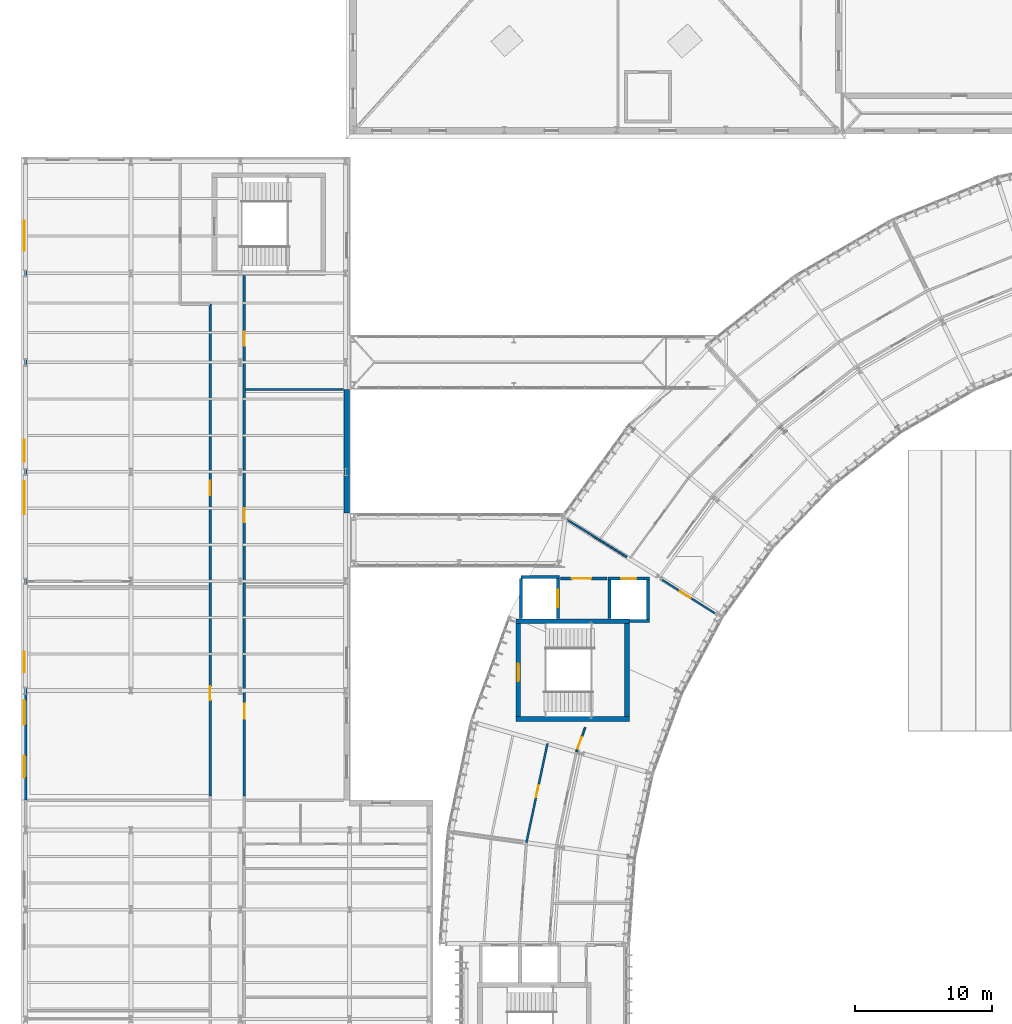
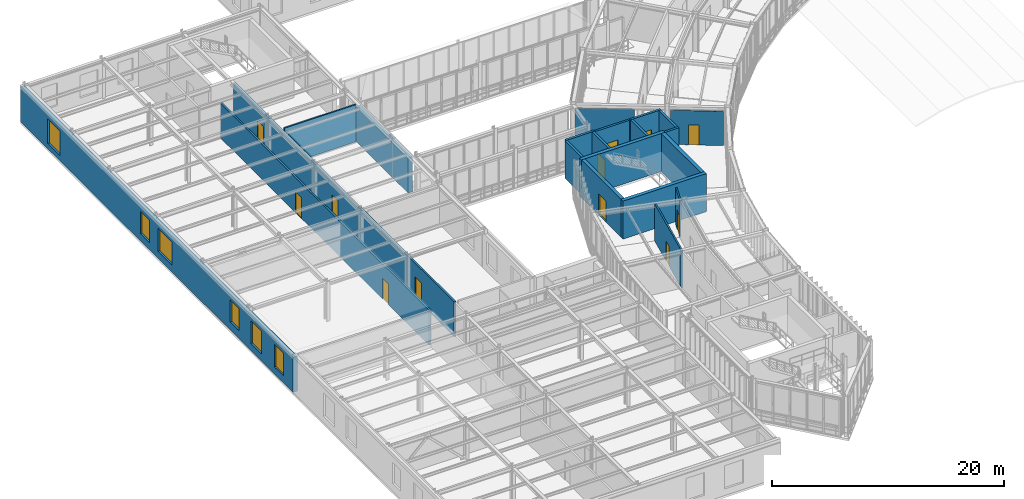
# One storey, part 42 of 57: 21 walls, 12 doors, 6 windows, 18 openings.
"""IFC4 building model written with IfcOpenShell, lengths in metres."""

from ifc_helpers import new_model, si_unit, direction, frame, frame_2d, origin, place, context, subcontext, project, spatial, rectangle, extrude, material, layer, layer_set, type_object, element, fill, save


model = new_model("IFC4")

# Units and contexts
model_context = context("Model", 3, precision=1e-05, world=origin(), true_north=direction((0.0, 1.0)))
body_context = subcontext(model_context, "Body", "Model", "MODEL_VIEW")
ifc_project = project(units=[si_unit("LENGTHUNIT", "METRE"), si_unit("AREAUNIT", "SQUARE_METRE"), si_unit("VOLUMEUNIT", "CUBIC_METRE"), si_unit("PLANEANGLEUNIT", "RADIAN"), si_unit("MASSUNIT", "GRAM", prefix="KILO"), si_unit("THERMODYNAMICTEMPERATUREUNIT", "KELVIN"), si_unit("POWERUNIT", "WATT")], contexts=[model_context])

# Site, building, storey
site_placement = place(None, origin())
site = spatial("IfcSite", under=ifc_project, at=site_placement, CompositionType="ELEMENT")
building_placement = place(site_placement, origin())
building = spatial("IfcBuilding", under=site, at=building_placement, Name="Solvatero Civic Police Headquarters", CompositionType="ELEMENT")
storey_placement = place(building_placement, frame((0.0, 0.0, 9.300048828125)))
storey = spatial("IfcBuildingStorey", under=building, at=storey_placement, Name="L02", CompositionType="ELEMENT", Elevation=9.300048828125)

# Wall, openings, windows
ifc_material_1 = material(Name="Cream Limestone Ashlar", Category="masonry")
ifc_layer_1 = layer(ifc_material_1, 0.419921875)
ifc_layer_set_1 = layer_set([ifc_layer_1], Name="Cream Limestone Ashlar")
wall_type_1 = type_object("IfcWallType", Name="WL-EXT-LIME-420", PredefinedType="SOLIDWALL", material=ifc_layer_set_1)
wall_1_placement = place(storey_placement, frame((4.719970703125, 36.5, 0.0), z_axis=(0.0, 0.0, 1.0), x_axis=(0.0, 1.0, 0.0)))
wall_1 = element("IfcWall", 1, at=wall_1_placement, inside=storey, type_object=wall_type_1, Name="Exterior Wall WLE-L02-V6-W", PredefinedType="SOLIDWALL", context=body_context, shape_type="SweptSolid", body=[
    extrude(rectangle(XDim=47.0, YDim=0.419921875, at=frame_2d((23.5, 0.0))), origin(), (0.0, 0.0, 1.0), 3.679931640625),
])
opening_1_placement = place(wall_1_placement, frame((1.64990234375, 0.0, 0.739990234375)))
opening_1 = element("IfcOpeningElement", 2, at=opening_1_placement, cuts=wall_1, Name="Opening W-04", PredefinedType="OPENING", context=body_context, shape_type="SweptSolid", body=[
    extrude(rectangle(XDim=1.60009765625, YDim=2.39990234375, at=frame_2d((0.800048828125, 1.199951171875))), frame((0.0, 0.219970703125, 0.0), z_axis=(0.0, -1.0, 0.0), x_axis=(1.0, 0.0, 0.0)), (0.0, 0.0, 1.0), 0.43994140625),
])
opening_2_placement = place(wall_1_placement, frame((5.5, 0.0, 0.739990234375)))
opening_2 = element("IfcOpeningElement", 3, at=opening_2_placement, cuts=wall_1, Name="Opening W-05", PredefinedType="OPENING", context=body_context, shape_type="SweptSolid", body=[
    extrude(rectangle(XDim=1.800048828125, YDim=2.39990234375, at=frame_2d((0.89990234375, 1.199951171875))), frame((0.0, 0.219970703125, 0.0), z_axis=(0.0, -1.0, 0.0), x_axis=(1.0, 0.0, 0.0)), (0.0, 0.0, 1.0), 0.43994140625),
])
opening_3_placement = place(wall_1_placement, frame((9.35009765625, 0.0, 0.840087890625)))
opening_3 = element("IfcOpeningElement", 4, at=opening_3_placement, cuts=wall_1, Name="Opening W-03", PredefinedType="OPENING", context=body_context, shape_type="SweptSolid", body=[
    extrude(rectangle(XDim=1.5, YDim=2.300048828125, at=frame_2d((0.75, 1.14990234375))), frame((0.0, 0.219970703125, 0.0), z_axis=(0.0, -1.0, 0.0), x_axis=(1.0, 0.0, 0.0)), (0.0, 0.0, 1.0), 0.43994140625),
])
opening_4_placement = place(wall_1_placement, frame((20.89990234375, 0.0, 0.739990234375)))
opening_4 = element("IfcOpeningElement", 5, at=opening_4_placement, cuts=wall_1, Name="Opening W-08", PredefinedType="OPENING", context=body_context, shape_type="SweptSolid", body=[
    extrude(rectangle(XDim=2.39990234375, YDim=2.39990234375, at=frame_2d((1.199951171875, 1.199951171875))), frame((0.0, 0.219970703125, 0.0), z_axis=(0.0, -1.0, 0.0), x_axis=(1.0, 0.0, 0.0)), (0.0, 0.0, 1.0), 0.43994140625),
])
opening_5_placement = place(wall_1_placement, frame((24.75, 0.0, 0.739990234375)))
opening_5 = element("IfcOpeningElement", 6, at=opening_5_placement, cuts=wall_1, Name="Opening W-04", PredefinedType="OPENING", context=body_context, shape_type="SweptSolid", body=[
    extrude(rectangle(XDim=1.60009765625, YDim=2.39990234375, at=frame_2d((0.800048828125, 1.199951171875))), frame((0.0, 0.219970703125, 0.0), z_axis=(0.0, -1.0, 0.0), x_axis=(1.0, 0.0, 0.0)), (0.0, 0.0, 1.0), 0.43994140625),
])
opening_6_placement = place(wall_1_placement, frame((40.14990234375, 0.0, 0.5400390625)))
opening_6 = element("IfcOpeningElement", 7, at=opening_6_placement, cuts=wall_1, Name="Opening W-07", PredefinedType="OPENING", context=body_context, shape_type="SweptSolid", body=[
    extrude(rectangle(XDim=2.199951171875, YDim=2.60009765625, at=frame_2d((1.10009765625, 1.300048828125))), frame((0.0, 0.219970703125, 0.0), z_axis=(0.0, -1.0, 0.0), x_axis=(1.0, 0.0, 0.0)), (0.0, 0.0, 1.0), 0.43994140625),
])
ifc_material_2 = material(Name="Anodized Bronze Aluminium", Category="aluminium")
window_type_1 = type_object("IfcWindowType", Name="WN-CL-150x230", PartitioningType="SINGLE_PANEL", PredefinedType="WINDOW", material=ifc_material_2)
window_1_placement = place(opening_3_placement, origin())
window_1 = element("IfcWindow", 8, at=window_1_placement, inside=storey, type_object=window_type_1, Name="Exterior Window 0081", OverallHeight=2.300048828125, OverallWidth=1.5, PartitioningType="SINGLE_PANEL", PredefinedType="WINDOW", context=body_context, shape_type="SweptSolid", body=[
    extrude(rectangle(XDim=1.5, YDim=2.300048828125, at=frame_2d((0.75, 1.14990234375))), frame((0.0, 0.030029296875, 0.0), z_axis=(0.0, -1.0, 0.0), x_axis=(1.0, 0.0, 0.0)), (0.0, 0.0, 1.0), 0.06005859375),
])
fill(opening_3, window_1)
window_type_2 = type_object("IfcWindowType", Name="WN-CL-160x240", PartitioningType="SINGLE_PANEL", PredefinedType="WINDOW", material=ifc_material_2)
window_2_placement = place(opening_1_placement, origin())
window_2 = element("IfcWindow", 9, at=window_2_placement, inside=storey, type_object=window_type_2, Name="Exterior Window 0079", OverallHeight=2.39990234375, OverallWidth=1.60009765625, PartitioningType="SINGLE_PANEL", PredefinedType="WINDOW", context=body_context, shape_type="SweptSolid", body=[
    extrude(rectangle(XDim=1.60009765625, YDim=2.39990234375, at=frame_2d((0.800048828125, 1.199951171875))), frame((0.0, 0.030029296875, 0.0), z_axis=(0.0, -1.0, 0.0), x_axis=(1.0, 0.0, 0.0)), (0.0, 0.0, 1.0), 0.06005859375),
])
fill(opening_1, window_2)
window_3_placement = place(opening_5_placement, origin())
window_3 = element("IfcWindow", 10, at=window_3_placement, inside=storey, type_object=window_type_2, Name="Exterior Window 0083", OverallHeight=2.39990234375, OverallWidth=1.60009765625, PartitioningType="SINGLE_PANEL", PredefinedType="WINDOW", context=body_context, shape_type="SweptSolid", body=[
    extrude(rectangle(XDim=1.60009765625, YDim=2.39990234375, at=frame_2d((0.800048828125, 1.199951171875))), frame((0.0, 0.030029296875, 0.0), z_axis=(0.0, -1.0, 0.0), x_axis=(1.0, 0.0, 0.0)), (0.0, 0.0, 1.0), 0.06005859375),
])
fill(opening_5, window_3)
window_type_3 = type_object("IfcWindowType", Name="WN-CL-180x240", PartitioningType="SINGLE_PANEL", PredefinedType="WINDOW", material=ifc_material_2)
window_4_placement = place(opening_2_placement, origin())
window_4 = element("IfcWindow", 11, at=window_4_placement, inside=storey, type_object=window_type_3, Name="Exterior Window 0080", OverallHeight=2.39990234375, OverallWidth=1.800048828125, PartitioningType="SINGLE_PANEL", PredefinedType="WINDOW", context=body_context, shape_type="SweptSolid", body=[
    extrude(rectangle(XDim=1.800048828125, YDim=2.39990234375, at=frame_2d((0.89990234375, 1.199951171875))), frame((0.0, 0.030029296875, 0.0), z_axis=(0.0, -1.0, 0.0), x_axis=(1.0, 0.0, 0.0)), (0.0, 0.0, 1.0), 0.06005859375),
])
fill(opening_2, window_4)
window_type_4 = type_object("IfcWindowType", Name="WN-CL-220x260", PartitioningType="SINGLE_PANEL", PredefinedType="WINDOW", material=ifc_material_2)
window_5_placement = place(opening_6_placement, origin())
window_5 = element("IfcWindow", 12, at=window_5_placement, inside=storey, type_object=window_type_4, Name="Exterior Window 0084", OverallHeight=2.60009765625, OverallWidth=2.199951171875, PartitioningType="SINGLE_PANEL", PredefinedType="WINDOW", context=body_context, shape_type="SweptSolid", body=[
    extrude(rectangle(XDim=2.199951171875, YDim=2.60009765625, at=frame_2d((1.10009765625, 1.300048828125))), frame((0.0, 0.030029296875, 0.0), z_axis=(0.0, -1.0, 0.0), x_axis=(1.0, 0.0, 0.0)), (0.0, 0.0, 1.0), 0.06005859375),
])
fill(opening_6, window_5)
window_type_5 = type_object("IfcWindowType", Name="WN-CL-240x240", PartitioningType="SINGLE_PANEL", PredefinedType="WINDOW", material=ifc_material_2)
window_6_placement = place(opening_4_placement, origin())
window_6 = element("IfcWindow", 13, at=window_6_placement, inside=storey, type_object=window_type_5, Name="Exterior Window 0082", OverallHeight=2.39990234375, OverallWidth=2.39990234375, PartitioningType="SINGLE_PANEL", PredefinedType="WINDOW", context=body_context, shape_type="SweptSolid", body=[
    extrude(rectangle(XDim=2.39990234375, YDim=2.39990234375, at=frame_2d((1.199951171875, 1.199951171875))), frame((0.0, 0.030029296875, 0.0), z_axis=(0.0, -1.0, 0.0), x_axis=(1.0, 0.0, 0.0)), (0.0, 0.0, 1.0), 0.06005859375),
])
fill(opening_4, window_6)

# Walls
wall_2_placement = place(storey_placement, frame((28.280029296875, 57.5, 0.0), z_axis=(0.0, 0.0, 1.0), x_axis=(0.0, 1.0, 0.0)))
element("IfcWall", 14, at=wall_2_placement, inside=storey, type_object=wall_type_1, Name="Exterior Wall WLE-L02-V6-EB", PredefinedType="SOLIDWALL", context=body_context, shape_type="SweptSolid", body=[
    extrude(rectangle(XDim=9.0, YDim=0.419921875, at=frame_2d((4.5, 0.0))), origin(), (0.0, 0.0, 1.0), 3.679931640625),
])
ifc_material_3 = material(Name="Gypsum Acoustic Stud", Category="gypsum")
ifc_layer_2 = layer(ifc_material_3, 0.1201171875)
ifc_layer_set_2 = layer_set([ifc_layer_2], Name="Gypsum Acoustic Stud")
wall_type_2 = type_object("IfcWallType", Name="WL-PTN-120", PredefinedType="PARTITIONING", material=ifc_layer_set_2)
wall_3_placement = place(storey_placement, frame((48.756591796875, 54.271240234375, 0.0), z_axis=(0.0, 0.0, 1.0), x_axis=(-0.848054228257, 0.529909450694, 0.0)))
element("IfcWall", 15, at=wall_3_placement, inside=storey, type_object=wall_type_2, Name="Interior Partition WLP-L02-ARC-RAD-B08", PredefinedType="PARTITIONING", context=body_context, shape_type="SweptSolid", body=[
    extrude(rectangle(XDim=5.14990234375, YDim=0.1201171875, at=frame_2d((2.574951171875, 0.0))), origin(), (0.0, 0.0, 1.0), 3.550048828125),
])

# Wall, opening, door
ifc_material_4 = material(Name="Gypsum Double-Stud", Category="gypsum")
ifc_layer_3 = layer(ifc_material_4, 0.135009765625)
ifc_layer_set_3 = layer_set([ifc_layer_3], Name="Gypsum Double-Stud")
wall_type_3 = type_object("IfcWallType", Name="WL-PTN-135", PredefinedType="PARTITIONING", material=ifc_layer_set_3)
wall_4_placement = place(storey_placement, frame((51.35009765625, 52.60009765625, 0.0), z_axis=(0.0, 0.0, 1.0), x_axis=(0.84363284859, -0.536920493909, 0.0)))
wall_4 = element("IfcWall", 16, at=wall_4_placement, inside=storey, type_object=wall_type_3, Name="Interior Partition WLP-L02-ARC-CIN-B09C", PredefinedType="PARTITIONING", context=body_context, shape_type="SweptSolid", body=[
    extrude(rectangle(XDim=4.5634765625, YDim=0.135009765625, at=frame_2d((2.28173828125, 0.0))), origin(), (0.0, 0.0, 1.0), 3.599853515625),
])
opening_7_placement = place(wall_4_placement, frame((1.550048828125, 0.0, 0.0)))
opening_7 = element("IfcOpeningElement", 17, at=opening_7_placement, cuts=wall_4, Name="Opening ID-02", PredefinedType="OPENING", context=body_context, shape_type="SweptSolid", body=[
    extrude(rectangle(XDim=0.89990234375, YDim=2.10009765625, at=frame_2d((0.449951171875, 1.050048828125))), frame((0.0, 0.077392578125, 0.0), z_axis=(0.0, -1.0, 0.0), x_axis=(1.0, 0.0, 0.0)), (0.0, 0.0, 1.0), 0.155029296875),
])
ifc_material_5 = material(Name="Acoustic Oak Timber Veneer", Category="wood")
door_type_1 = type_object("IfcDoorType", Name="DR-OFF-090x210", OperationType="NOTDEFINED", PredefinedType="DOOR", material=ifc_material_5)
door_1_placement = place(opening_7_placement, origin())
door_1 = element("IfcDoor", 18, at=door_1_placement, inside=storey, type_object=door_type_1, Name="Interior Door DR-L02-ARC-IN-B09", OperationType="SINGLE_SWING_LEFT", OverallHeight=2.10009765625, OverallWidth=0.89990234375, PredefinedType="DOOR", context=body_context, shape_type="SweptSolid", body=[
    extrude(rectangle(XDim=0.89990234375, YDim=2.10009765625, at=frame_2d((0.449951171875, 1.050048828125))), frame((0.0, 0.02490234375, 0.0), z_axis=(0.0, -1.0, 0.0), x_axis=(1.0, 0.0, 0.0)), (0.0, 0.0, 1.0), 0.050048828125),
])
fill(opening_7, door_1)

wall_5_placement = place(storey_placement, frame((45.716064453125, 41.800048828125, 0.0), z_axis=(0.0, 0.0, 1.0), x_axis=(-0.342003187451, -0.939698792046, 0.0)))
wall_5 = element("IfcWall", 19, at=wall_5_placement, inside=storey, type_object=wall_type_3, Name="Interior Partition WLP-L02-ARC-CIN-B10", PredefinedType="PARTITIONING", context=body_context, shape_type="SweptSolid", body=[
    extrude(rectangle(XDim=1.8837890625, YDim=0.135009765625, at=frame_2d((0.94189453125, 0.0))), origin(), (0.0, 0.0, 1.0), 3.919921875),
])
opening_8_placement = place(wall_5_placement, frame((0.72412109375, 0.0, 0.0)))
opening_8 = element("IfcOpeningElement", 20, at=opening_8_placement, cuts=wall_5, Name="Opening ID-03", PredefinedType="OPENING", context=body_context, shape_type="SweptSolid", body=[
    extrude(rectangle(XDim=0.919921875, YDim=2.1201171875, at=frame_2d((0.4599609375, 1.06005859375))), frame((0.0, 0.077392578125, 0.0), z_axis=(0.0, -1.0, 0.0), x_axis=(1.0, 0.0, 0.0)), (0.0, 0.0, 1.0), 0.155029296875),
])
door_type_2 = type_object("IfcDoorType", Name="DR-OFF-092x212", OperationType="NOTDEFINED", PredefinedType="DOOR", material=ifc_material_5)
door_2_placement = place(opening_8_placement, origin())
door_2 = element("IfcDoor", 21, at=door_2_placement, inside=storey, type_object=door_type_2, Name="Interior Door DR-L02-ARC-IN-B10", OperationType="SINGLE_SWING_RIGHT", OverallHeight=2.1201171875, OverallWidth=0.919921875, PredefinedType="DOOR", context=body_context, shape_type="SweptSolid", body=[
    extrude(rectangle(XDim=0.919921875, YDim=2.1201171875, at=frame_2d((0.4599609375, 1.06005859375))), frame((0.0, 0.02490234375, 0.0), z_axis=(0.0, -1.0, 0.0), x_axis=(1.0, 0.0, 0.0)), (0.0, 0.0, 1.0), 0.050048828125),
])
fill(opening_8, door_2)

# Wall
ifc_layer_4 = layer(ifc_material_3, 0.14990234375)
ifc_layer_set_4 = layer_set([ifc_layer_4], Name="Gypsum Acoustic Stud")
wall_type_4 = type_object("IfcWallType", Name="WL-PTN-150", PredefinedType="PARTITIONING", material=ifc_layer_set_4)
wall_6_placement = place(storey_placement, frame((20.89990234375, 66.5, 0.0), z_axis=(0.0, 0.0, 1.0), x_axis=(1.0, 0.0, 0.0)))
element("IfcWall", 22, at=wall_6_placement, inside=storey, type_object=wall_type_4, Name="Interior Partition WLP-L02-V6-GOWN", PredefinedType="PARTITIONING", context=body_context, shape_type="SweptSolid", body=[
    extrude(rectangle(XDim=7.150146484375, YDim=0.14990234375, at=frame_2d((3.5751953125, 0.0))), origin(), (0.0, 0.0, 1.0), 3.919921875),
])

# Wall, opening, door
wall_7_placement = place(storey_placement, frame((42.95703125, 40.63623046875, 0.0), z_axis=(0.0, 0.0, 1.0), x_axis=(-0.207921820376, -0.978145447575, 0.0)))
wall_7 = element("IfcWall", 23, at=wall_7_placement, inside=storey, type_object=wall_type_4, Name="Interior Partition WLP-L02-ARC-COUT-B11", PredefinedType="PARTITIONING", context=body_context, shape_type="SweptSolid", body=[
    extrude(rectangle(XDim=7.407958984375, YDim=0.14990234375, at=frame_2d((3.7041015625, 0.0))), origin(), (0.0, 0.0, 1.0), 3.919921875),
])
opening_9_placement = place(wall_7_placement, frame((3.111083984375, 0.0, 0.0)))
opening_9 = element("IfcOpeningElement", 24, at=opening_9_placement, cuts=wall_7, Name="Opening ID-02", PredefinedType="OPENING", context=body_context, shape_type="SweptSolid", body=[
    extrude(rectangle(XDim=0.89990234375, YDim=2.10009765625, at=frame_2d((0.449951171875, 1.050048828125))), frame((0.0, 0.0849609375, 0.0), z_axis=(0.0, -1.0, 0.0), x_axis=(1.0, 0.0, 0.0)), (0.0, 0.0, 1.0), 0.169921875),
])
door_3_placement = place(opening_9_placement, origin())
door_3 = element("IfcDoor", 25, at=door_3_placement, inside=storey, type_object=door_type_1, Name="Interior Door DR-L02-ARC-OUT-B11", OperationType="SINGLE_SWING_RIGHT", OverallHeight=2.10009765625, OverallWidth=0.89990234375, PredefinedType="DOOR", context=body_context, shape_type="SweptSolid", body=[
    extrude(rectangle(XDim=0.89990234375, YDim=2.10009765625, at=frame_2d((0.449951171875, 1.050048828125))), frame((0.0, 0.02490234375, 0.0), z_axis=(0.0, -1.0, 0.0), x_axis=(1.0, 0.0, 0.0)), (0.0, 0.0, 1.0), 0.050048828125),
])
fill(opening_9, door_3)

# Wall, openings, doors
ifc_material_6 = material(Name="Concrete Blockwork", Category="masonry")
ifc_layer_5 = layer(ifc_material_6, 0.179931640625)
ifc_layer_set_5 = layer_set([ifc_layer_5], Name="Concrete Blockwork")
wall_type_5 = type_object("IfcWallType", Name="WL-PTN-180", PredefinedType="PARTITIONING", material=ifc_layer_set_5)
wall_8_placement = place(storey_placement, frame((18.300048828125, 36.800048828125, 0.0), z_axis=(0.0, 0.0, 1.0), x_axis=(0.0, 1.0, 0.0)))
wall_8 = element("IfcWall", 26, at=wall_8_placement, inside=storey, type_object=wall_type_5, Name="Interior Partition WLP-L02-V6-CW", PredefinedType="PARTITIONING", context=body_context, shape_type="SweptSolid", body=[
    extrude(rectangle(XDim=35.949951171875, YDim=0.179931640625, at=frame_2d((17.97509765625, 0.0))), origin(), (0.0, 0.0, 1.0), 3.677978515625),
])
opening_10_placement = place(wall_8_placement, frame((7.0, 0.0, 0.0)))
opening_10 = element("IfcOpeningElement", 27, at=opening_10_placement, cuts=wall_8, Name="Opening ID-06", PredefinedType="OPENING", context=body_context, shape_type="SweptSolid", body=[
    extrude(rectangle(XDim=1.02001953125, YDim=2.179931640625, at=frame_2d((0.510009765625, 1.08984375))), frame((0.0, 0.099853515625, 0.0), z_axis=(0.0, -1.0, 0.0), x_axis=(1.0, 0.0, 0.0)), (0.0, 0.0, 1.0), 0.199951171875),
])
opening_11_placement = place(wall_8_placement, frame((22.0, 0.0, 0.0)))
opening_11 = element("IfcOpeningElement", 28, at=opening_11_placement, cuts=wall_8, Name="Opening ID-07", PredefinedType="OPENING", context=body_context, shape_type="SweptSolid", body=[
    extrude(rectangle(XDim=1.050048828125, YDim=2.199951171875, at=frame_2d((0.52490234375, 1.10009765625))), frame((0.0, 0.099853515625, 0.0), z_axis=(0.0, -1.0, 0.0), x_axis=(1.0, 0.0, 0.0)), (0.0, 0.0, 1.0), 0.199951171875),
])
ifc_material_7 = material(Name="Powder-Coated Steel", Category="steel")
door_type_3 = type_object("IfcDoorType", Name="DR-LAB-102x218", OperationType="NOTDEFINED", PredefinedType="DOOR", material=ifc_material_7)
door_4_placement = place(opening_10_placement, origin())
door_4 = element("IfcDoor", 29, at=door_4_placement, inside=storey, type_object=door_type_3, Name="Interior Door DR-L02-V6-SW", OperationType="SINGLE_SWING_RIGHT", OverallHeight=2.179931640625, OverallWidth=1.02001953125, PredefinedType="DOOR", context=body_context, shape_type="SweptSolid", body=[
    extrude(rectangle(XDim=1.02001953125, YDim=2.179931640625, at=frame_2d((0.510009765625, 1.08984375))), frame((0.0, 0.02490234375, 0.0), z_axis=(0.0, -1.0, 0.0), x_axis=(1.0, 0.0, 0.0)), (0.0, 0.0, 1.0), 0.050048828125),
])
fill(opening_10, door_4)
door_type_4 = type_object("IfcDoorType", Name="DR-LAB-105x220", OperationType="NOTDEFINED", PredefinedType="DOOR", material=ifc_material_7)
door_5_placement = place(opening_11_placement, origin())
door_5 = element("IfcDoor", 30, at=door_5_placement, inside=storey, type_object=door_type_4, Name="Interior Door DR-L02-V6-NW", OperationType="SINGLE_SWING_LEFT", OverallHeight=2.199951171875, OverallWidth=1.050048828125, PredefinedType="DOOR", context=body_context, shape_type="SweptSolid", body=[
    extrude(rectangle(XDim=1.050048828125, YDim=2.199951171875, at=frame_2d((0.52490234375, 1.10009765625))), frame((0.0, 0.02490234375, 0.0), z_axis=(0.0, -1.0, 0.0), x_axis=(1.0, 0.0, 0.0)), (0.0, 0.0, 1.0), 0.050048828125),
])
fill(opening_11, door_5)

wall_9_placement = place(storey_placement, frame((20.800048828125, 36.800048828125, 0.0), z_axis=(0.0, 0.0, 1.0), x_axis=(0.0, 1.0, 0.0)))
wall_9 = element("IfcWall", 31, at=wall_9_placement, inside=storey, type_object=wall_type_5, Name="Interior Partition WLP-L02-V6-CE", PredefinedType="PARTITIONING", context=body_context, shape_type="SweptSolid", body=[
    extrude(rectangle(XDim=38.050048828125, YDim=0.179931640625, at=frame_2d((19.02490234375, 0.0))), origin(), (0.0, 0.0, 1.0), 3.677978515625),
])
opening_12_placement = place(wall_9_placement, frame((5.64990234375, 0.0, 0.0)))
opening_12 = element("IfcOpeningElement", 32, at=opening_12_placement, cuts=wall_9, Name="Opening ID-08", PredefinedType="OPENING", context=body_context, shape_type="SweptSolid", body=[
    extrude(rectangle(XDim=1.080078125, YDim=2.219970703125, at=frame_2d((0.5400390625, 1.10986328125))), frame((0.0, 0.099853515625, 0.0), z_axis=(0.0, -1.0, 0.0), x_axis=(1.0, 0.0, 0.0)), (0.0, 0.0, 1.0), 0.199951171875),
])
opening_13_placement = place(wall_9_placement, frame((20.0, 0.0, 0.0)))
opening_13 = element("IfcOpeningElement", 33, at=opening_13_placement, cuts=wall_9, Name="Opening ID-07", PredefinedType="OPENING", context=body_context, shape_type="SweptSolid", body=[
    extrude(rectangle(XDim=1.050048828125, YDim=2.199951171875, at=frame_2d((0.52490234375, 1.10009765625))), frame((0.0, 0.099853515625, 0.0), z_axis=(0.0, -1.0, 0.0), x_axis=(1.0, 0.0, 0.0)), (0.0, 0.0, 1.0), 0.199951171875),
])
opening_14_placement = place(wall_9_placement, frame((32.89990234375, 0.0, 0.0)))
opening_14 = element("IfcOpeningElement", 34, at=opening_14_placement, cuts=wall_9, Name="Opening ID-06", PredefinedType="OPENING", context=body_context, shape_type="SweptSolid", body=[
    extrude(rectangle(XDim=1.02001953125, YDim=2.179931640625, at=frame_2d((0.510009765625, 1.08984375))), frame((0.0, 0.099853515625, 0.0), z_axis=(0.0, -1.0, 0.0), x_axis=(1.0, 0.0, 0.0)), (0.0, 0.0, 1.0), 0.199951171875),
])
door_6_placement = place(opening_14_placement, origin())
door_6 = element("IfcDoor", 35, at=door_6_placement, inside=storey, type_object=door_type_3, Name="Interior Door DR-L02-V6-GOWN", OperationType="SINGLE_SWING_LEFT", OverallHeight=2.179931640625, OverallWidth=1.02001953125, PredefinedType="DOOR", context=body_context, shape_type="SweptSolid", body=[
    extrude(rectangle(XDim=1.02001953125, YDim=2.179931640625, at=frame_2d((0.510009765625, 1.08984375))), frame((0.0, 0.02490234375, 0.0), z_axis=(0.0, -1.0, 0.0), x_axis=(1.0, 0.0, 0.0)), (0.0, 0.0, 1.0), 0.050048828125),
])
fill(opening_14, door_6)
door_7_placement = place(opening_13_placement, origin())
door_7 = element("IfcDoor", 36, at=door_7_placement, inside=storey, type_object=door_type_4, Name="Interior Door DR-L02-V6-NE", OperationType="SINGLE_SWING_RIGHT", OverallHeight=2.199951171875, OverallWidth=1.050048828125, PredefinedType="DOOR", context=body_context, shape_type="SweptSolid", body=[
    extrude(rectangle(XDim=1.050048828125, YDim=2.199951171875, at=frame_2d((0.52490234375, 1.10009765625))), frame((0.0, 0.02490234375, 0.0), z_axis=(0.0, -1.0, 0.0), x_axis=(1.0, 0.0, 0.0)), (0.0, 0.0, 1.0), 0.050048828125),
])
fill(opening_13, door_7)
door_type_5 = type_object("IfcDoorType", Name="DR-LAB-108x222", OperationType="NOTDEFINED", PredefinedType="DOOR", material=ifc_material_7)
door_8_placement = place(opening_12_placement, origin())
door_8 = element("IfcDoor", 37, at=door_8_placement, inside=storey, type_object=door_type_5, Name="Interior Door DR-L02-V6-SE", OperationType="SINGLE_SWING_LEFT", OverallHeight=2.219970703125, OverallWidth=1.080078125, PredefinedType="DOOR", context=body_context, shape_type="SweptSolid", body=[
    extrude(rectangle(XDim=1.080078125, YDim=2.219970703125, at=frame_2d((0.5400390625, 1.10986328125))), frame((0.0, 0.02490234375, 0.0), z_axis=(0.0, -1.0, 0.0), x_axis=(1.0, 0.0, 0.0)), (0.0, 0.0, 1.0), 0.050048828125),
])
fill(opening_12, door_8)

# Wall, opening, door
ifc_layer_6 = layer(ifc_material_6, 0.199951171875)
ifc_layer_set_6 = layer_set([ifc_layer_6], Name="Concrete Blockwork")
wall_type_6 = type_object("IfcWallType", Name="WL-PTN-200", PredefinedType="PARTITIONING", material=ifc_layer_set_6)
wall_10_placement = place(storey_placement, frame((43.89990234375, 52.699951171875, 0.0), z_axis=(0.0, 0.0, 1.0), x_axis=(1.0, 0.0, 0.0)))
wall_10 = element("IfcWall", 38, at=wall_10_placement, inside=storey, type_object=wall_type_6, Name="Interior Partition WLP-FFL-C2-L02-N", PredefinedType="PARTITIONING", context=body_context, shape_type="SweptSolid", body=[
    extrude(rectangle(XDim=3.400146484375, YDim=0.199951171875, at=frame_2d((1.7001953125, 0.0))), origin(), (0.0, 0.0, 1.0), 3.919921875),
])
opening_15_placement = place(wall_10_placement, frame((0.85009765625, 0.0, 0.0)))
opening_15 = element("IfcOpeningElement", 39, at=opening_15_placement, cuts=wall_10, Name="Opening FD-02", PredefinedType="OPENING", context=body_context, shape_type="SweptSolid", body=[
    extrude(rectangle(XDim=1.39990234375, YDim=2.25, at=frame_2d((0.699951171875, 1.125))), frame((0.0, 0.10986328125, 0.0), z_axis=(0.0, -1.0, 0.0), x_axis=(1.0, 0.0, 0.0)), (0.0, 0.0, 1.0), 0.219970703125),
])
door_type_6 = type_object("IfcDoorType", Name="DR-LOB-140x225", OperationType="NOTDEFINED", PredefinedType="DOOR", material=ifc_material_7)
door_9_placement = place(opening_15_placement, origin())
door_9 = element("IfcDoor", 40, at=door_9_placement, inside=storey, type_object=door_type_6, Name="Interior Door DR-FFL-C2-L02-ACC", OperationType="DOUBLE_DOOR_SINGLE_SWING", OverallHeight=2.25, OverallWidth=1.39990234375, PredefinedType="DOOR", context=body_context, shape_type="SweptSolid", body=[
    extrude(rectangle(XDim=1.39990234375, YDim=2.25, at=frame_2d((0.699951171875, 1.125))), frame((0.0, 0.02490234375, 0.0), z_axis=(0.0, -1.0, 0.0), x_axis=(1.0, 0.0, 0.0)), (0.0, 0.0, 1.0), 0.050048828125),
])
fill(opening_15, door_9)

# Walls
ifc_material_8 = material(Name="Concrete C35/45", Category="concrete")
ifc_layer_7 = layer(ifc_material_8, 0.219970703125)
ifc_layer_set_7 = layer_set([ifc_layer_7], Name="Concrete C35/45")
wall_type_7 = type_object("IfcWallType", Name="WL-SHF-220", PredefinedType="PARTITIONING", material=ifc_layer_set_7)
wall_11_placement = place(storey_placement, frame((41.02001953125, 52.81005859375, 0.0), z_axis=(0.0, 0.0, 1.0), x_axis=(1.0, 0.0, 0.0)))
element("IfcWall", 41, at=wall_11_placement, inside=storey, type_object=wall_type_7, Name="Lift Shaft Wall WLS-FL-02-L02-N", PredefinedType="PARTITIONING", context=body_context, shape_type="SweptSolid", body=[
    extrude(rectangle(XDim=2.800048828125, YDim=0.219970703125, at=frame_2d((1.39990234375, 0.0))), origin(), (0.0, 0.0, 1.0), 3.919921875),
])
wall_12_placement = place(storey_placement, frame((41.02001953125, 49.760009765625, 0.0), z_axis=(0.0, 0.0, 1.0), x_axis=(0.0, 1.0, 0.0)))
element("IfcWall", 42, at=wall_12_placement, inside=storey, type_object=wall_type_7, Name="Lift Shaft Wall WLS-FL-02-L02-W", PredefinedType="PARTITIONING", context=body_context, shape_type="SweptSolid", body=[
    extrude(rectangle(XDim=2.93994140625, YDim=0.219970703125, at=frame_2d((1.469970703125, 0.0))), origin(), (0.0, 0.0, 1.0), 3.919921875),
])

# Wall, opening, door
wall_13_placement = place(storey_placement, frame((43.7099609375, 49.760009765625, 0.0), z_axis=(0.0, 0.0, 1.0), x_axis=(0.0, 1.0, 0.0)))
wall_13 = element("IfcWall", 43, at=wall_13_placement, inside=storey, type_object=wall_type_7, Name="Lift Shaft Wall WLS-FL-02-L02-E", PredefinedType="PARTITIONING", context=body_context, shape_type="SweptSolid", body=[
    extrude(rectangle(XDim=2.93994140625, YDim=0.219970703125, at=frame_2d((1.469970703125, 0.0))), origin(), (0.0, 0.0, 1.0), 3.919921875),
])
opening_16_placement = place(wall_13_placement, frame((0.820068359375, 0.0, 0.0)))
opening_16 = element("IfcOpeningElement", 44, at=opening_16_placement, cuts=wall_13, Name="Opening LD-02", PredefinedType="OPENING", context=body_context, shape_type="SweptSolid", body=[
    extrude(rectangle(XDim=1.300048828125, YDim=2.199951171875, at=frame_2d((0.64990234375, 1.10009765625))), frame((0.0, 0.119873046875, 0.0), z_axis=(0.0, -1.0, 0.0), x_axis=(1.0, 0.0, 0.0)), (0.0, 0.0, 1.0), 0.239990234375),
])
ifc_material_9 = material(Name="Stainless Steel Grade 316", Category="steel")
door_type_7 = type_object("IfcDoorType", Name="DR-LFT-130x220", OperationType="DOUBLE_DOOR_SLIDING", PredefinedType="DOOR", material=ifc_material_9)
door_10_placement = place(opening_16_placement, origin())
door_10 = element("IfcDoor", 45, at=door_10_placement, inside=storey, type_object=door_type_7, Name="Interior Door DR-LFT-FL-02-L02", OperationType="DOUBLE_DOOR_SLIDING", OverallHeight=2.199951171875, OverallWidth=1.300048828125, PredefinedType="DOOR", context=body_context, shape_type="SweptSolid", body=[
    extrude(rectangle(XDim=1.300048828125, YDim=2.199951171875, at=frame_2d((0.64990234375, 1.10009765625))), frame((0.0, 0.02490234375, 0.0), z_axis=(0.0, -1.0, 0.0), x_axis=(1.0, 0.0, 0.0)), (0.0, 0.0, 1.0), 0.050048828125),
])
fill(opening_16, door_10)

# Wall
wall_14_placement = place(storey_placement, frame((48.9599609375, 49.590087890625, 0.0), z_axis=(0.0, 0.0, 1.0), x_axis=(1.0, 0.0, 0.0)))
element("IfcWall", 46, at=wall_14_placement, inside=storey, type_object=wall_type_7, Name="Lift Shaft Wall WLS-LP-03-L02-S", PredefinedType="PARTITIONING", context=body_context, shape_type="SweptSolid", body=[
    extrude(rectangle(XDim=1.4599609375, YDim=0.219970703125, at=frame_2d((0.72998046875, 0.0))), origin(), (0.0, 0.0, 1.0), 3.919921875),
])

# Wall, opening, door
wall_15_placement = place(storey_placement, frame((47.3798828125, 52.7099609375, 0.0), z_axis=(0.0, 0.0, 1.0), x_axis=(1.0, 0.0, 0.0)))
wall_15 = element("IfcWall", 47, at=wall_15_placement, inside=storey, type_object=wall_type_7, Name="Lift Shaft Wall WLS-LP-03-L02-N", PredefinedType="PARTITIONING", context=body_context, shape_type="SweptSolid", body=[
    extrude(rectangle(XDim=3.0400390625, YDim=0.219970703125, at=frame_2d((1.52001953125, 0.0))), origin(), (0.0, 0.0, 1.0), 3.919921875),
])
opening_17_placement = place(wall_15_placement, frame((0.969970703125, 0.0, 0.0)))
opening_17 = element("IfcOpeningElement", 48, at=opening_17_placement, cuts=wall_15, Name="Opening LD-01", PredefinedType="OPENING", context=body_context, shape_type="SweptSolid", body=[
    extrude(rectangle(XDim=1.10009765625, YDim=2.14990234375, at=frame_2d((0.550048828125, 1.074951171875))), frame((0.0, 0.119873046875, 0.0), z_axis=(0.0, -1.0, 0.0), x_axis=(1.0, 0.0, 0.0)), (0.0, 0.0, 1.0), 0.239990234375),
])
door_type_8 = type_object("IfcDoorType", Name="DR-LFT-110x215", OperationType="DOUBLE_DOOR_SLIDING", PredefinedType="DOOR", material=ifc_material_9)
door_11_placement = place(opening_17_placement, origin())
door_11 = element("IfcDoor", 49, at=door_11_placement, inside=storey, type_object=door_type_8, Name="Interior Door DR-LFT-LP-03-L02", OperationType="DOUBLE_DOOR_SLIDING", OverallHeight=2.14990234375, OverallWidth=1.10009765625, PredefinedType="DOOR", context=body_context, shape_type="SweptSolid", body=[
    extrude(rectangle(XDim=1.10009765625, YDim=2.14990234375, at=frame_2d((0.550048828125, 1.074951171875))), frame((0.0, 0.02490234375, 0.0), z_axis=(0.0, -1.0, 0.0), x_axis=(1.0, 0.0, 0.0)), (0.0, 0.0, 1.0), 0.050048828125),
])
fill(opening_17, door_11)

# Walls
wall_16_placement = place(storey_placement, frame((47.489990234375, 49.760009765625, 0.0), z_axis=(0.0, 0.0, 1.0), x_axis=(0.0, 1.0, 0.0)))
element("IfcWall", 50, at=wall_16_placement, inside=storey, type_object=wall_type_7, Name="Lift Shaft Wall WLS-LP-03-L02-W", PredefinedType="PARTITIONING", context=body_context, shape_type="SweptSolid", body=[
    extrude(rectangle(XDim=2.840087890625, YDim=0.219970703125, at=frame_2d((1.419921875, 0.0))), origin(), (0.0, 0.0, 1.0), 3.919921875),
])
wall_17_placement = place(storey_placement, frame((50.31005859375, 49.699951171875, 0.0), z_axis=(0.0, 0.0, 1.0), x_axis=(0.0, 1.0, 0.0)))
element("IfcWall", 51, at=wall_17_placement, inside=storey, type_object=wall_type_7, Name="Lift Shaft Wall WLS-LP-03-L02-E", PredefinedType="PARTITIONING", context=body_context, shape_type="SweptSolid", body=[
    extrude(rectangle(XDim=2.900146484375, YDim=0.219970703125, at=frame_2d((1.4501953125, 0.0))), origin(), (0.0, 0.0, 1.0), 3.919921875),
])
ifc_material_10 = material(Name="Concrete C40/50", Category="concrete")
ifc_layer_8 = layer(ifc_material_10, 0.35009765625)
ifc_layer_set_8 = layer_set([ifc_layer_8], Name="Concrete C40/50")
wall_type_8 = type_object("IfcWallType", Name="WL-SHR-350", PredefinedType="SHEAR", material=ifc_layer_set_8)
for number, where, z_axis, x_axis, name in (
    (52, (40.64990234375, 42.425048828125, 0.0), (0.0, 0.0, 1.0), (1.0, 0.0, 0.0), "Core C2 Shear Wall S L02"),
    (53, (40.64990234375, 49.574951171875, 0.0), (0.0, 0.0, 1.0), (1.0, 0.0, 0.0), "Core C2 Shear Wall N L02"),
):
    element("IfcWall", number, at=place(storey_placement, frame(where, z_axis=z_axis, x_axis=x_axis)), inside=storey, type_object=wall_type_8, Name=name, PredefinedType="SHEAR", context=body_context, shape_type="SweptSolid", body=[
        extrude(rectangle(XDim=8.300048828125, YDim=0.35009765625, at=frame_2d((4.14990234375, 0.0))), origin(), (0.0, 0.0, 1.0), 4.0),
    ])

# Wall, opening, door
wall_18_placement = place(storey_placement, frame((40.824951171875, 42.60009765625, 0.0), z_axis=(0.0, 0.0, 1.0), x_axis=(0.0, 1.0, 0.0)))
wall_18 = element("IfcWall", 54, at=wall_18_placement, inside=storey, type_object=wall_type_8, Name="Core C2 Shear Wall W L02", PredefinedType="SHEAR", context=body_context, shape_type="SweptSolid", body=[
    extrude(rectangle(XDim=6.7998046875, YDim=0.35009765625, at=frame_2d((3.39990234375, 0.0))), origin(), (0.0, 0.0, 1.0), 4.0),
])
opening_18_placement = place(wall_18_placement, frame((2.60009765625, 0.0, 0.0)))
opening_18 = element("IfcOpeningElement", 55, at=opening_18_placement, cuts=wall_18, Name="Opening FD-01", PredefinedType="OPENING", context=body_context, shape_type="SweptSolid", body=[
    extrude(rectangle(XDim=1.25, YDim=2.199951171875, at=frame_2d((0.625, 1.10009765625))), frame((0.0, 0.18505859375, 0.0), z_axis=(0.0, -1.0, 0.0), x_axis=(1.0, 0.0, 0.0)), (0.0, 0.0, 1.0), 0.3701171875),
])
door_type_9 = type_object("IfcDoorType", Name="DR-STR-125x220", OperationType="NOTDEFINED", PredefinedType="DOOR", material=ifc_material_7)
door_12_placement = place(opening_18_placement, origin())
door_12 = element("IfcDoor", 56, at=door_12_placement, inside=storey, type_object=door_type_9, Name="Interior Door DR-STR-C2-L02", OperationType="SINGLE_SWING_LEFT", OverallHeight=2.199951171875, OverallWidth=1.25, PredefinedType="DOOR", context=body_context, shape_type="SweptSolid", body=[
    extrude(rectangle(XDim=1.25, YDim=2.199951171875, at=frame_2d((0.625, 1.10009765625))), frame((0.0, 0.02490234375, 0.0), z_axis=(0.0, -1.0, 0.0), x_axis=(1.0, 0.0, 0.0)), (0.0, 0.0, 1.0), 0.050048828125),
])
fill(opening_18, door_12)

# Wall
wall_19_placement = place(storey_placement, frame((48.77490234375, 42.60009765625, 0.0), z_axis=(0.0, 0.0, 1.0), x_axis=(0.0, 1.0, 0.0)))
element("IfcWall", 57, at=wall_19_placement, inside=storey, type_object=wall_type_8, Name="Core C2 Shear Wall E L02", PredefinedType="SHEAR", context=body_context, shape_type="SweptSolid", body=[
    extrude(rectangle(XDim=6.7998046875, YDim=0.35009765625, at=frame_2d((3.39990234375, 0.0))), origin(), (0.0, 0.0, 1.0), 4.0),
])

save(model, "model.ifc")
